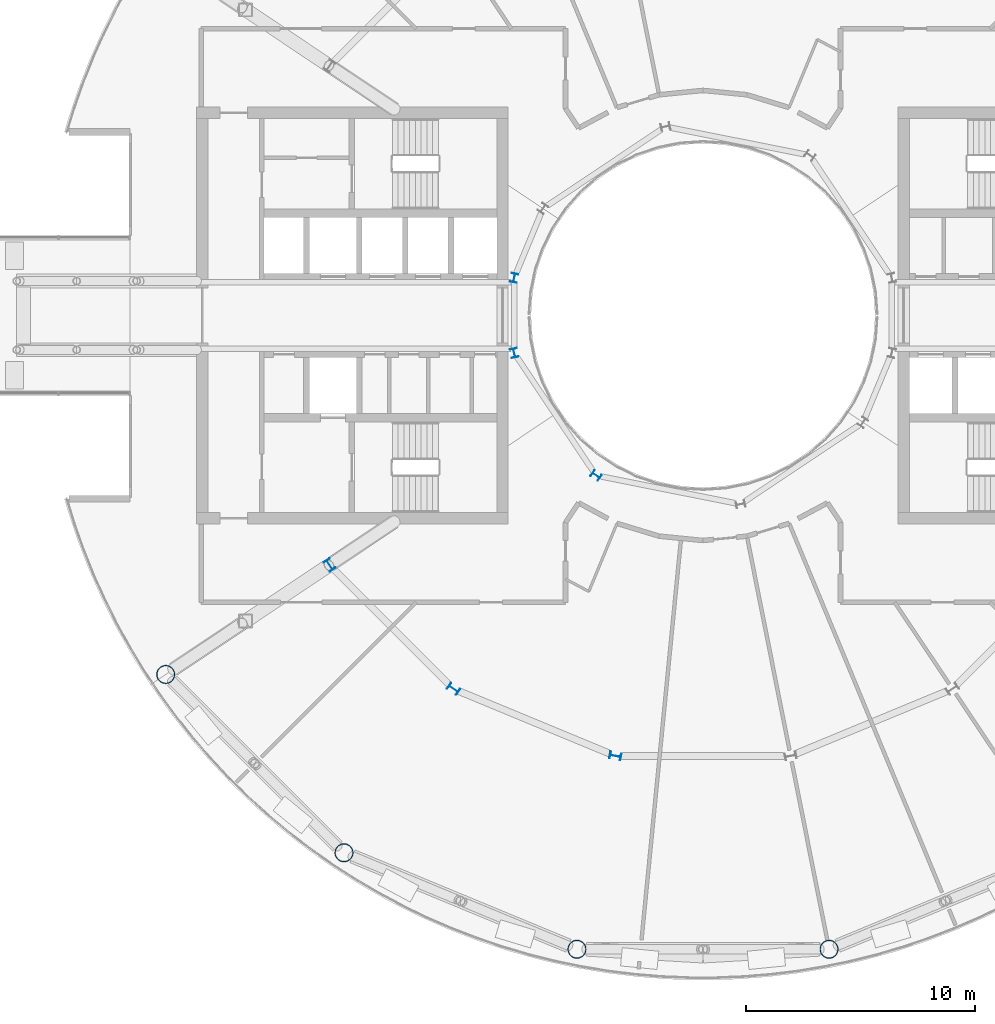
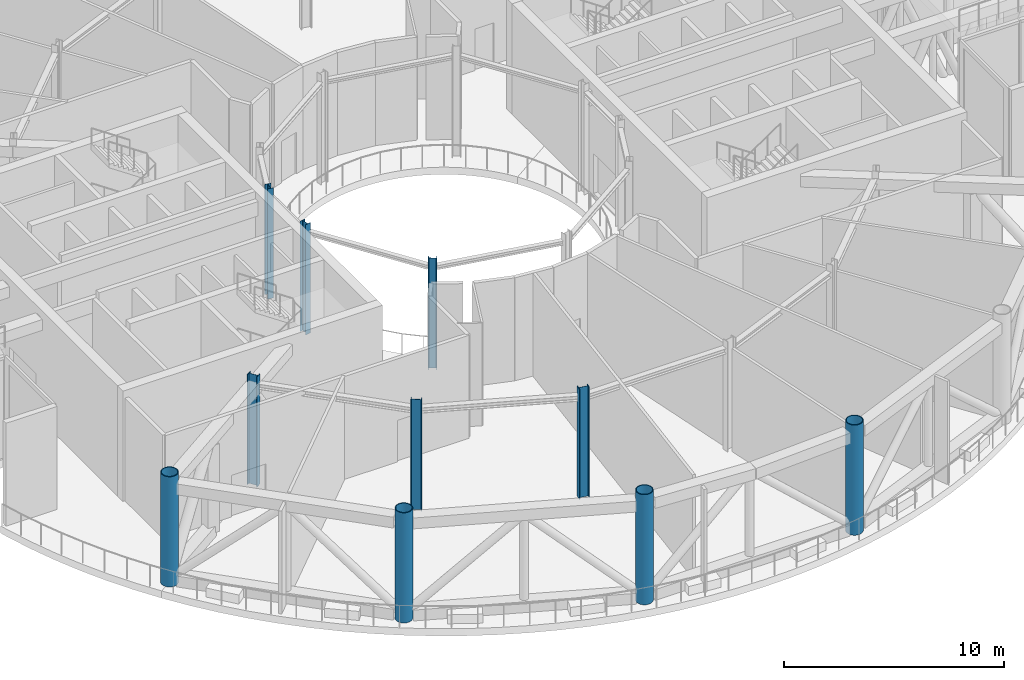
# One storey, part 1 of 24: 10 columns.
"""IFC4 building model written with IfcOpenShell, lengths in metres."""

from ifc_helpers import new_model, si_unit, direction, frame, origin, origin_2d, place, context, subcontext, project, spatial, hollow_circle, i_section, extrude, material, material_profile, profile_set, type_object, element, save


model = new_model("IFC4")

# Units and contexts
model_context = context("Model", 3, precision=1e-05, world=origin(), true_north=direction((0.0, 1.0)))
body_context = subcontext(model_context, "Body", "Model", "MODEL_VIEW")
ifc_project = project(units=[si_unit("LENGTHUNIT", "METRE"), si_unit("AREAUNIT", "SQUARE_METRE"), si_unit("VOLUMEUNIT", "CUBIC_METRE"), si_unit("PLANEANGLEUNIT", "RADIAN"), si_unit("MASSUNIT", "GRAM", prefix="KILO")], contexts=[model_context])

# Site, building, storey
site_placement = place(None, origin())
site = spatial("IfcSite", under=ifc_project, at=site_placement, CompositionType="ELEMENT")
building_placement = place(site_placement, origin())
building = spatial("IfcBuilding", under=site, at=building_placement, Name="Maasbend Ring Residences", CompositionType="ELEMENT")
storey_placement = place(building_placement, frame((0.0, 0.0, 179.89990234375)))
storey = spatial("IfcBuildingStorey", under=building, at=storey_placement, Name="L52", CompositionType="ELEMENT", Elevation=179.89990234375)

# Columns
ifc_material_1 = material(Name="Composite concrete-filled steel tube S460NH / C80/95", Category="concrete")
ifc_material_profile_1 = material_profile(ifc_material_1, hollow_circle(Radius=0.406494140625, WallThickness=0.0400390625, at=origin_2d()), Name="Composite tube column CHS 813x40")
ifc_profile_set_1 = profile_set([ifc_material_profile_1], Name="Composite concrete-filled steel tube S460NH / C80/95")
column_type_1 = type_object("IfcColumnType", Name="Composite tube column CHS 813x40", PredefinedType="COLUMN", material=ifc_profile_set_1)
for number, where, z_axis, x_axis, name in (
    (1, (-23.447509765625, -15.6669921875, 0.0), (0.0, 0.0, 1.0), (1.0, 0.0, 0.0), "Outer column R10"),
    (2, (-15.6669921875, -23.447509765625, 0.0), (0.0, 0.0, 1.0), (1.0, 0.0, 0.0), "Outer column R11"),
    (3, (-5.50146484375, -27.658203125, 0.0), (0.0, 0.0, 1.0), (1.0, 0.0, 0.0), "Outer column R12"),
    (4, (5.50146484375, -27.658203125, 0.0), (0.0, 0.0, 1.0), (1.0, 0.0, 0.0), "Outer column R13"),
):
    element("IfcColumn", number, at=place(storey_placement, frame(where, z_axis=z_axis, x_axis=x_axis)), inside=storey, type_object=column_type_1, Name=name, PredefinedType="COLUMN", context=body_context, shape_type="SweptSolid", body=[
        extrude(hollow_circle(Radius=0.406494140625, WallThickness=0.0400390625, at=origin_2d()), origin(), (0.0, 0.0, 1.0), 6.10009765625),
    ])
ifc_material_2 = material(Name="Steel S355J2", Category="steel")
ifc_material_profile_2 = material_profile(ifc_material_2, i_section(OverallWidth=0.300048828125, OverallDepth=0.389892578125, WebThickness=0.010986328125, FlangeThickness=0.01904296875, FilletRadius=0.027099609375, at=origin_2d()), Name="HEA 400")
ifc_profile_set_2 = profile_set([ifc_material_profile_2], Name="Steel S355J2")
column_type_2 = type_object("IfcColumnType", Name="Steel column HEA 400", PredefinedType="COLUMN", material=ifc_profile_set_2)
for number, where, z_axis, x_axis, name in (
    (5, (-8.238525390625, 1.638916015625, 0.0), (0.0, 0.0, 1.0), (-0.980785280403, 0.195090322016, 0.0), "Well ring column R8"),
    (6, (-8.238525390625, -1.638916015625, 0.0), (0.0, 0.0, 1.0), (-0.980785280403, -0.195090322016, 0.0), "Well ring column R9"),
    (7, (-4.666748046875, -6.984375, 0.0), (0.0, 0.0, 1.0), (-0.55557023302, -0.831469612303, 0.0), "Well ring column R11"),
):
    element("IfcColumn", number, at=place(storey_placement, frame(where, z_axis=z_axis, x_axis=x_axis)), inside=storey, type_object=column_type_2, Name=name, PredefinedType="COLUMN", context=body_context, shape_type="SweptSolid", body=[
        extrude(i_section(OverallWidth=0.300048828125, OverallDepth=0.389892578125, WebThickness=0.010986328125, FlangeThickness=0.01904296875, FilletRadius=0.027099609375, at=origin_2d()), origin(), (0.0, 0.0, 1.0), 6.10009765625),
    ])
ifc_material_3 = material(Name="Steel S355J2", Category="steel")
ifc_material_profile_3 = material_profile(ifc_material_3, i_section(OverallWidth=0.300048828125, OverallDepth=0.5, WebThickness=0.014404296875, FlangeThickness=0.028076171875, FilletRadius=0.027099609375, at=origin_2d()), Name="HEB 500")
ifc_profile_set_3 = profile_set([ifc_material_profile_3], Name="Steel S355J2")
column_type_3 = type_object("IfcColumnType", Name="Steel column HEB 500", PredefinedType="COLUMN", material=ifc_profile_set_3)
for number, where, z_axis, x_axis, name in (
    (8, (-16.296875, -10.88916015625, 0.0), (0.0, 0.0, 1.0), (-0.831469612303, -0.55557023302, 0.0), "Corridor ring column R10"),
    (9, (-10.88916015625, -16.296875, 0.0), (0.0, 0.0, 1.0), (-0.55557023302, -0.831469612303, 0.0), "Corridor ring column R11"),
    (10, (-3.82373046875, -19.223388671875, 0.0), (0.0, 0.0, 1.0), (-0.195090322016, -0.980785280403, 0.0), "Corridor ring column R12"),
):
    element("IfcColumn", number, at=place(storey_placement, frame(where, z_axis=z_axis, x_axis=x_axis)), inside=storey, type_object=column_type_3, Name=name, PredefinedType="COLUMN", context=body_context, shape_type="SweptSolid", body=[
        extrude(i_section(OverallWidth=0.300048828125, OverallDepth=0.5, WebThickness=0.014404296875, FlangeThickness=0.028076171875, FilletRadius=0.027099609375, at=origin_2d()), origin(), (0.0, 0.0, 1.0), 6.10009765625),
    ])

save(model, "model.ifc")
